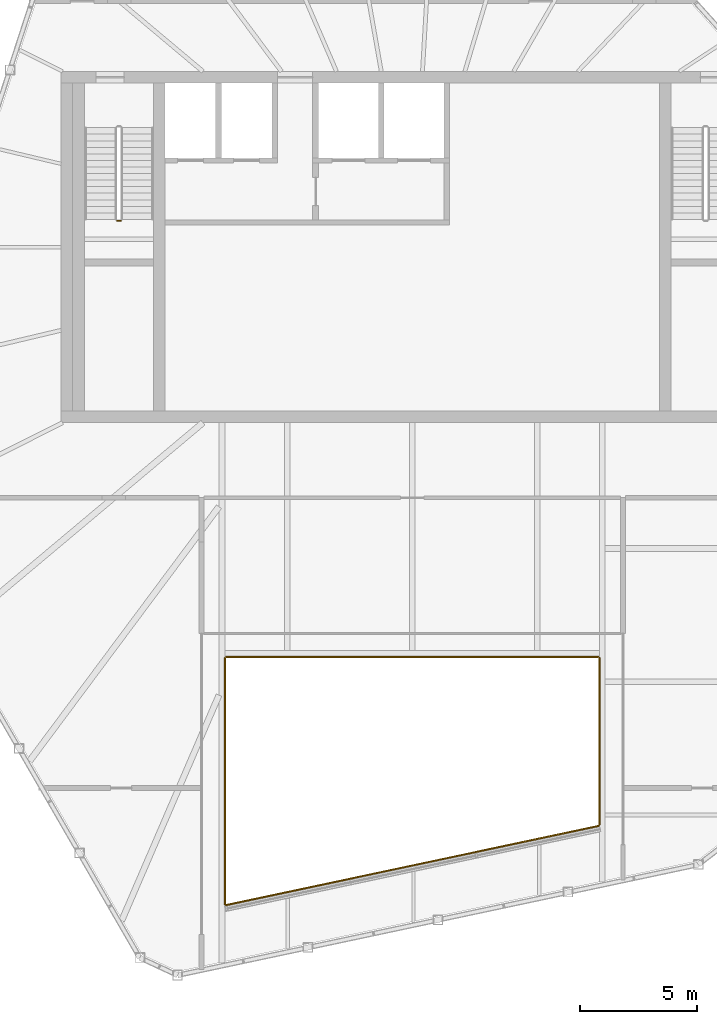
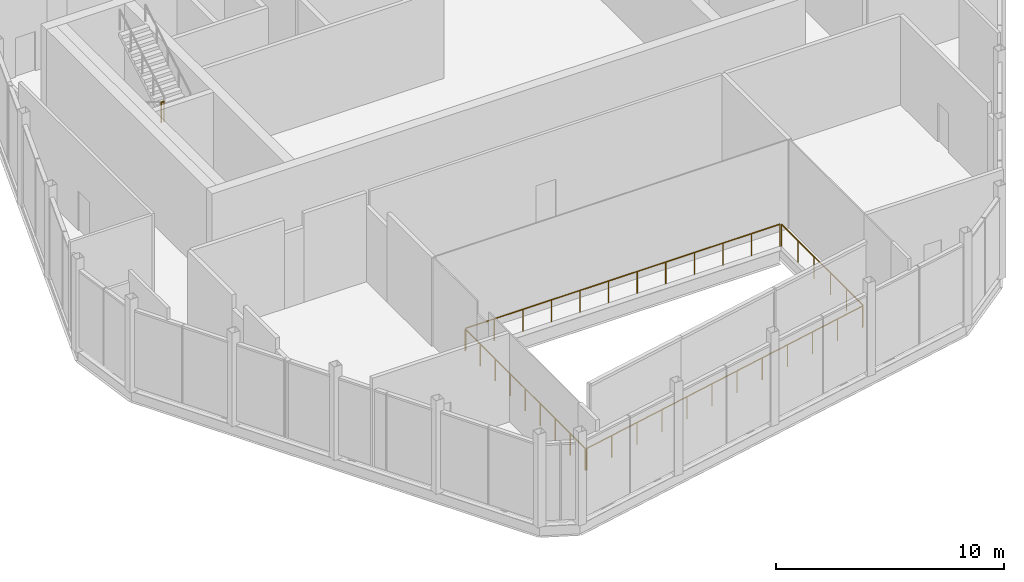
# One storey, part 11 of 12: 5 railings.
"""IFC4 building model written with IfcOpenShell, lengths in metres."""

from ifc_helpers import new_model, si_unit, direction, frame, origin, origin_2d, place, context, subcontext, project, spatial, circle, extrude, material, type_object, element, save


model = new_model("IFC4")

# Units and contexts
model_context = context("Model", 3, precision=1e-05, world=origin(), true_north=direction((0.0, 1.0)))
body_context = subcontext(model_context, "Body", "Model", "MODEL_VIEW")
ifc_project = project(units=[si_unit("LENGTHUNIT", "METRE"), si_unit("AREAUNIT", "SQUARE_METRE"), si_unit("VOLUMEUNIT", "CUBIC_METRE"), si_unit("PLANEANGLEUNIT", "RADIAN"), si_unit("MASSUNIT", "GRAM", prefix="KILO")], contexts=[model_context])

# Site, building, storey
site_placement = place(None, origin())
site = spatial("IfcSite", under=ifc_project, at=site_placement, CompositionType="ELEMENT")
building_placement = place(site_placement, origin())
building = spatial("IfcBuilding", under=site, at=building_placement, Name="Isthmus Gate Tower", CompositionType="ELEMENT")
storey_placement = place(building_placement, frame((0.0, 0.0, 306.10009765625)))
storey = spatial("IfcBuildingStorey", under=building, at=storey_placement, Name="C2", CompositionType="ELEMENT", Elevation=306.10009765625)

# Railings
ifc_material_1 = material(Name="Toughened laminated glass with stainless steel handrail", Category="steel")
railing_type_1 = type_object("IfcRailingType", Name="Atrium glass guard 1200", PredefinedType="GUARDRAIL", material=ifc_material_1)
railing_1_placement = place(storey_placement, frame((-7.951171875, -20.6005859375, 0.0)))
element("IfcRailing", 1, at=railing_1_placement, inside=storey, type_object=railing_type_1, Name="C2 atrium glass guard 1", PredefinedType="GUARDRAIL", context=body_context, shape_type="SweptSolid", body=[
    extrude(circle(Radius=0.030029296875, at=origin_2d()), frame((0.0, 0.0, 1.169921875), z_axis=(0.978150911752, 0.207896113091, 0.0), x_axis=(-0.207896113091, 0.978150911752, 0.0)), (0.0, 0.0, 1.0), 16.257568359375),
    extrude(circle(Radius=0.02490234375, at=origin_2d()), origin(), (0.0, 0.0, 1.0), 1.139892578125),
    extrude(circle(Radius=0.02490234375, at=origin_2d()), frame((1.445556640625, 0.307373046875, 0.0)), (0.0, 0.0, 1.0), 1.139892578125),
    extrude(circle(Radius=0.02490234375, at=origin_2d()), frame((2.891357421875, 0.614501953125, 0.0)), (0.0, 0.0, 1.0), 1.139892578125),
    extrude(circle(Radius=0.02490234375, at=origin_2d()), frame((4.3369140625, 0.921875, 0.0)), (0.0, 0.0, 1.0), 1.139892578125),
    extrude(circle(Radius=0.02490234375, at=origin_2d()), frame((5.78271484375, 1.22900390625, 0.0)), (0.0, 0.0, 1.0), 1.139892578125),
    extrude(circle(Radius=0.02490234375, at=origin_2d()), frame((7.228271484375, 1.536376953125, 0.0)), (0.0, 0.0, 1.0), 1.139892578125),
    extrude(circle(Radius=0.02490234375, at=origin_2d()), frame((8.674072265625, 1.843505859375, 0.0)), (0.0, 0.0, 1.0), 1.139892578125),
    extrude(circle(Radius=0.02490234375, at=origin_2d()), frame((10.11962890625, 2.15087890625, 0.0)), (0.0, 0.0, 1.0), 1.139892578125),
    extrude(circle(Radius=0.02490234375, at=origin_2d()), frame((11.5654296875, 2.4580078125, 0.0)), (0.0, 0.0, 1.0), 1.139892578125),
    extrude(circle(Radius=0.02490234375, at=origin_2d()), frame((13.010986328125, 2.765380859375, 0.0)), (0.0, 0.0, 1.0), 1.139892578125),
    extrude(circle(Radius=0.02490234375, at=origin_2d()), frame((14.456787109375, 3.072509765625, 0.0)), (0.0, 0.0, 1.0), 1.139892578125),
    extrude(circle(Radius=0.02490234375, at=origin_2d()), frame((15.90234375, 3.3798828125, 0.0)), (0.0, 0.0, 1.0), 1.139892578125),
])
railing_2_placement = place(storey_placement, frame((8.0, -17.16015625, 0.0)))
element("IfcRailing", 2, at=railing_2_placement, inside=storey, type_object=railing_type_1, Name="C2 atrium glass guard 2", PredefinedType="GUARDRAIL", context=body_context, shape_type="SweptSolid", body=[
    extrude(circle(Radius=0.030029296875, at=origin_2d()), frame((0.0, 0.0, 1.169921875), z_axis=(0.0, 1.0, 0.0), x_axis=(-1.0, 0.0, 0.0)), (0.0, 0.0, 1.0), 7.110107421875),
    extrude(circle(Radius=0.02490234375, at=origin_2d()), origin(), (0.0, 0.0, 1.0), 1.139892578125),
    extrude(circle(Radius=0.02490234375, at=origin_2d()), frame((0.0, 1.422119140625, 0.0)), (0.0, 0.0, 1.0), 1.139892578125),
    extrude(circle(Radius=0.02490234375, at=origin_2d()), frame((0.0, 2.843994140625, 0.0)), (0.0, 0.0, 1.0), 1.139892578125),
    extrude(circle(Radius=0.02490234375, at=origin_2d()), frame((0.0, 4.26611328125, 0.0)), (0.0, 0.0, 1.0), 1.139892578125),
    extrude(circle(Radius=0.02490234375, at=origin_2d()), frame((0.0, 5.68798828125, 0.0)), (0.0, 0.0, 1.0), 1.139892578125),
    extrude(circle(Radius=0.02490234375, at=origin_2d()), frame((0.0, 7.110107421875, 0.0)), (0.0, 0.0, 1.0), 1.139892578125),
])
railing_3_placement = place(storey_placement, frame((7.949951171875, -10.0, 0.0)))
element("IfcRailing", 3, at=railing_3_placement, inside=storey, type_object=railing_type_1, Name="C2 atrium glass guard 3", PredefinedType="GUARDRAIL", context=body_context, shape_type="SweptSolid", body=[
    extrude(circle(Radius=0.030029296875, at=origin_2d()), frame((0.0, 0.0, 1.169921875), z_axis=(-1.0, 0.0, 0.0), x_axis=(0.0, -1.0, 0.0)), (0.0, 0.0, 1.0), 15.89990234375),
    extrude(circle(Radius=0.02490234375, at=origin_2d()), origin(), (0.0, 0.0, 1.0), 1.139892578125),
    extrude(circle(Radius=0.02490234375, at=origin_2d()), frame((-1.445556640625, 0.0, 0.0)), (0.0, 0.0, 1.0), 1.139892578125),
    extrude(circle(Radius=0.02490234375, at=origin_2d()), frame((-2.890869140625, 0.0, 0.0)), (0.0, 0.0, 1.0), 1.139892578125),
    extrude(circle(Radius=0.02490234375, at=origin_2d()), frame((-4.33642578125, 0.0, 0.0)), (0.0, 0.0, 1.0), 1.139892578125),
    extrude(circle(Radius=0.02490234375, at=origin_2d()), frame((-5.78173828125, 0.0, 0.0)), (0.0, 0.0, 1.0), 1.139892578125),
    extrude(circle(Radius=0.02490234375, at=origin_2d()), frame((-7.227294921875, 0.0, 0.0)), (0.0, 0.0, 1.0), 1.139892578125),
    extrude(circle(Radius=0.02490234375, at=origin_2d()), frame((-8.672607421875, 0.0, 0.0)), (0.0, 0.0, 1.0), 1.139892578125),
    extrude(circle(Radius=0.02490234375, at=origin_2d()), frame((-10.1181640625, 0.0, 0.0)), (0.0, 0.0, 1.0), 1.139892578125),
    extrude(circle(Radius=0.02490234375, at=origin_2d()), frame((-11.5634765625, 0.0, 0.0)), (0.0, 0.0, 1.0), 1.139892578125),
    extrude(circle(Radius=0.02490234375, at=origin_2d()), frame((-13.009033203125, 0.0, 0.0)), (0.0, 0.0, 1.0), 1.139892578125),
    extrude(circle(Radius=0.02490234375, at=origin_2d()), frame((-14.454345703125, 0.0, 0.0)), (0.0, 0.0, 1.0), 1.139892578125),
    extrude(circle(Radius=0.02490234375, at=origin_2d()), frame((-15.89990234375, 0.0, 0.0)), (0.0, 0.0, 1.0), 1.139892578125),
])
railing_4_placement = place(storey_placement, frame((-8.0, -10.050048828125, 0.0)))
element("IfcRailing", 4, at=railing_4_placement, inside=storey, type_object=railing_type_1, Name="C2 atrium glass guard 4", PredefinedType="GUARDRAIL", context=body_context, shape_type="SweptSolid", body=[
    extrude(circle(Radius=0.030029296875, at=origin_2d()), frame((0.0, 0.0, 1.169921875), z_axis=(0.0, -1.0, 0.0), x_axis=(1.0, 0.0, 0.0)), (0.0, 0.0, 1.0), 10.510986328125),
    extrude(circle(Radius=0.02490234375, at=origin_2d()), origin(), (0.0, 0.0, 1.0), 1.139892578125),
    extrude(circle(Radius=0.02490234375, at=origin_2d()), frame((0.0, -1.31396484375, 0.0)), (0.0, 0.0, 1.0), 1.139892578125),
    extrude(circle(Radius=0.02490234375, at=origin_2d()), frame((0.0, -2.627685546875, 0.0)), (0.0, 0.0, 1.0), 1.139892578125),
    extrude(circle(Radius=0.02490234375, at=origin_2d()), frame((0.0, -3.941650390625, 0.0)), (0.0, 0.0, 1.0), 1.139892578125),
    extrude(circle(Radius=0.02490234375, at=origin_2d()), frame((0.0, -5.25537109375, 0.0)), (0.0, 0.0, 1.0), 1.139892578125),
    extrude(circle(Radius=0.02490234375, at=origin_2d()), frame((0.0, -6.5693359375, 0.0)), (0.0, 0.0, 1.0), 1.139892578125),
    extrude(circle(Radius=0.02490234375, at=origin_2d()), frame((0.0, -7.88330078125, 0.0)), (0.0, 0.0, 1.0), 1.139892578125),
    extrude(circle(Radius=0.02490234375, at=origin_2d()), frame((0.0, -9.197021484375, 0.0)), (0.0, 0.0, 1.0), 1.139892578125),
    extrude(circle(Radius=0.02490234375, at=origin_2d()), frame((0.0, -10.510986328125, 0.0)), (0.0, 0.0, 1.0), 1.139892578125),
])
ifc_material_2 = material(Name="Stainless steel balustrade", Category="steel")
railing_type_2 = type_object("IfcRailingType", Name="STAIR GUARD 1100", PredefinedType="GUARDRAIL", material=ifc_material_2)
railing_5_placement = place(storey_placement, frame((-12.60009765625, 8.6298828125, 2.5)))
element("IfcRailing", 5, at=railing_5_placement, inside=storey, type_object=railing_type_2, Name="C2 ST1 stair guard 2", PredefinedType="GUARDRAIL", context=body_context, shape_type="SweptSolid", body=[
    extrude(circle(Radius=0.02392578125, at=origin_2d()), frame((0.0, 0.0, 1.076171875), z_axis=(1.0, 0.0, 0.0), x_axis=(0.0, 1.0, 0.0)), (0.0, 0.0, 1.0), 0.150146484375),
    extrude(circle(Radius=0.02099609375, at=origin_2d()), origin(), (0.0, 0.0, 1.0), 1.052001953125),
    extrude(circle(Radius=0.02099609375, at=origin_2d()), frame((0.150146484375, 0.0, 0.0)), (0.0, 0.0, 1.0), 1.052001953125),
])

save(model, "model.ifc")
